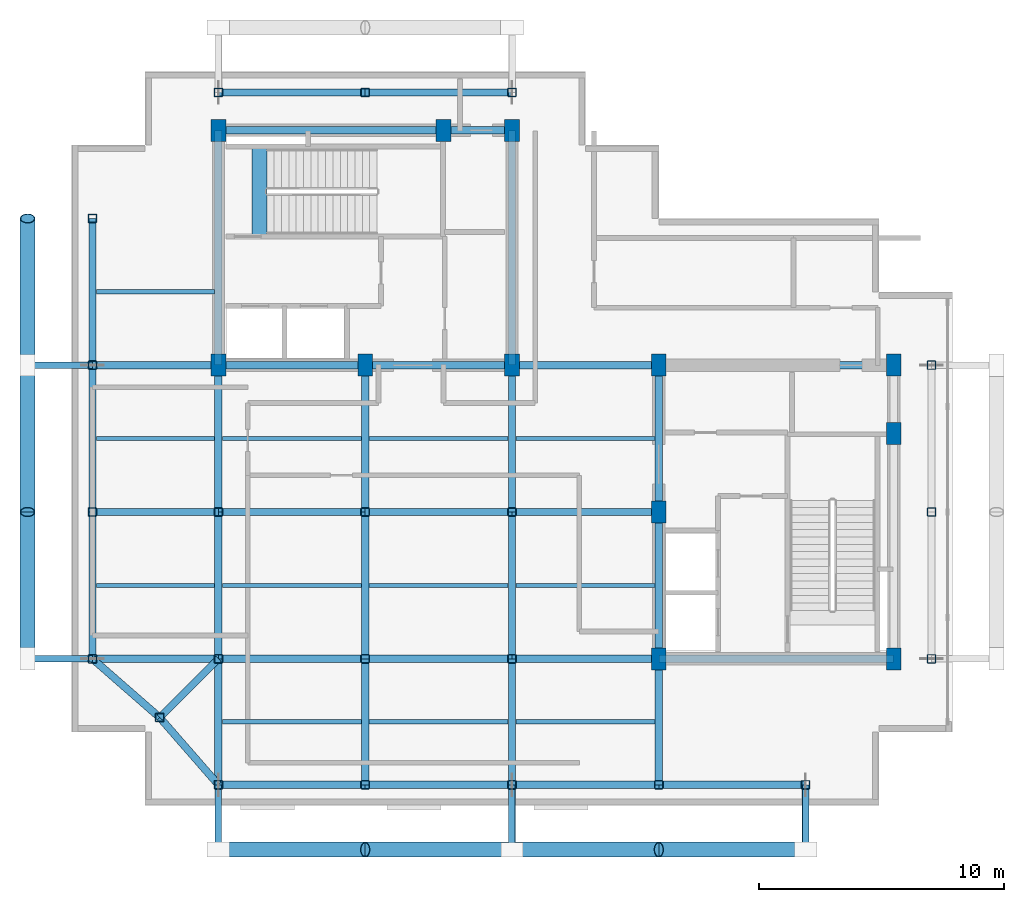
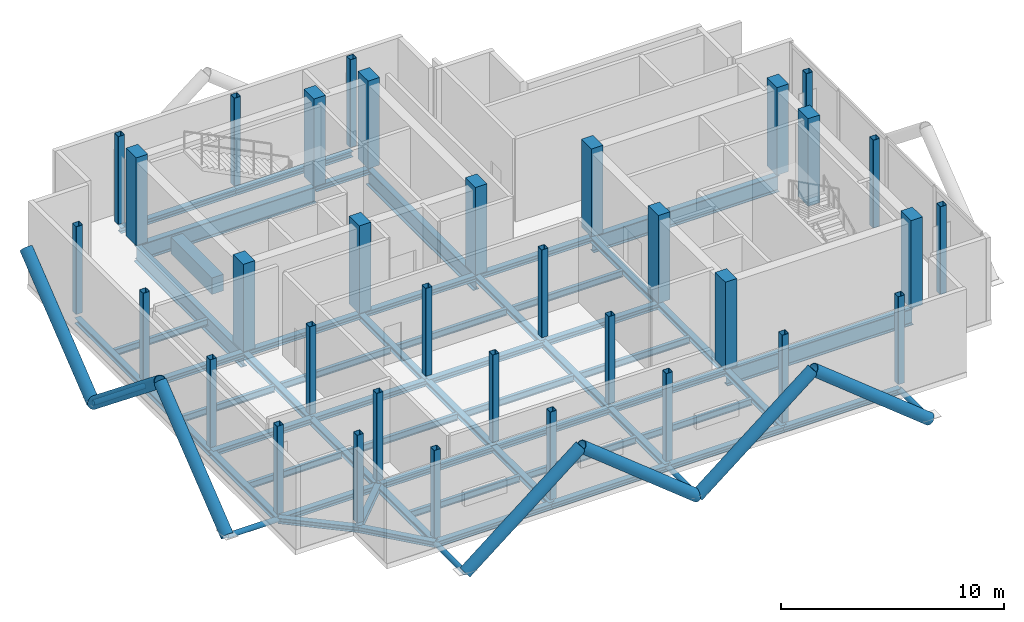
# One storey, part 1 of 6: 55 beams, 34 columns, 12 members.
"""IFC4 building model written with IfcOpenShell, lengths in metres."""

from ifc_helpers import new_model, si_unit, direction, frame, origin, origin_2d, place, context, subcontext, project, spatial, rectangle, hollow_rectangle, hollow_circle, i_section, extrude, material, material_profile, profile_set, type_object, element, save


model = new_model("IFC4")

# Units and contexts
model_context = context("Model", 3, precision=1e-05, world=origin(), true_north=direction((0.0, 1.0)))
body_context = subcontext(model_context, "Body", "Model", "MODEL_VIEW")
ifc_project = project(units=[si_unit("LENGTHUNIT", "METRE"), si_unit("AREAUNIT", "SQUARE_METRE"), si_unit("VOLUMEUNIT", "CUBIC_METRE"), si_unit("PLANEANGLEUNIT", "RADIAN"), si_unit("MASSUNIT", "GRAM", prefix="KILO"), si_unit("THERMODYNAMICTEMPERATUREUNIT", "KELVIN"), si_unit("POWERUNIT", "WATT")], contexts=[model_context])

# Site, building, storey
site_placement = place(None, origin())
site = spatial("IfcSite", under=ifc_project, at=site_placement, CompositionType="ELEMENT")
building_placement = place(site_placement, origin())
building = spatial("IfcBuilding", under=site, at=building_placement, Name="Svarakhadi Broadcast Tower", CompositionType="ELEMENT")
storey_placement = place(building_placement, frame((0.0, 0.0, 300.89990234375)))
storey = spatial("IfcBuildingStorey", under=building, at=storey_placement, Name="L76", CompositionType="ELEMENT", Elevation=300.89990234375)

# Columns
ifc_material_1 = material(Name="Concrete C50/60 (IS 456 M60)", Category="concrete")
ifc_material_profile_1 = material_profile(ifc_material_1, rectangle(XDim=0.60009765625, YDim=0.89990234375, at=origin_2d()), Name="RC 600x900")
ifc_profile_set_1 = profile_set([ifc_material_profile_1], Name="Concrete C50/60 (IS 456 M60)")
column_type_1 = type_object("IfcColumnType", Name="Col_RC600", PredefinedType="COLUMN", material=ifc_profile_set_1)
for number, where, z_axis, x_axis, name in (
    (1, (6.0, 18.0, 0.0), (0.0, 0.0, 1.0), (1.0, 0.0, 0.0), "L76 Column CW1"),
    (2, (12.0, 18.0, 0.0), (0.0, 0.0, 1.0), (1.0, 0.0, 0.0), "L76 Column CW2"),
    (3, (18.0, 18.0, 0.0), (0.0, 0.0, 1.0), (1.0, 0.0, 0.0), "L76 Column CW3"),
    (4, (6.0, 27.60009765625, 0.0), (0.0, 0.0, 1.0), (1.0, 0.0, 0.0), "L76 Column CW4"),
    (5, (15.199951171875, 27.60009765625, 0.0), (0.0, 0.0, 1.0), (1.0, 0.0, 0.0), "L76 Column CW5"),
    (6, (18.0, 27.60009765625, 0.0), (0.0, 0.0, 1.0), (1.0, 0.0, 0.0), "L76 Column CW6"),
    (7, (24.0, 6.0, 0.0), (0.0, 0.0, 1.0), (1.0, 0.0, 0.0), "L76 Column CE1"),
    (8, (24.0, 12.0, 0.0), (0.0, 0.0, 1.0), (1.0, 0.0, 0.0), "L76 Column CE2"),
    (9, (24.0, 18.0, 0.0), (0.0, 0.0, 1.0), (1.0, 0.0, 0.0), "L76 Column CE3"),
    (10, (33.60009765625, 6.0, 0.0), (0.0, 0.0, 1.0), (1.0, 0.0, 0.0), "L76 Column CE4"),
    (11, (33.60009765625, 15.199951171875, 0.0), (0.0, 0.0, 1.0), (1.0, 0.0, 0.0), "L76 Column CE5"),
    (12, (33.60009765625, 18.0, 0.0), (0.0, 0.0, 1.0), (1.0, 0.0, 0.0), "L76 Column CE6"),
):
    element("IfcColumn", number, at=place(storey_placement, frame(where, z_axis=z_axis, x_axis=x_axis)), inside=storey, type_object=column_type_1, Name=name, PredefinedType="COLUMN", context=body_context, shape_type="SweptSolid", body=[
        extrude(rectangle(XDim=0.60009765625, YDim=0.89990234375, at=origin_2d()), origin(), (0.0, 0.0, 1.0), 4.800048828125),
    ])
ifc_material_2 = material(Name="Steel S460ML (IS 2062 E450BR)", Category="steel")
ifc_material_profile_2 = material_profile(ifc_material_2, hollow_rectangle(XDim=0.35009765625, YDim=0.35009765625, WallThickness=0.01611328125, InnerFilletRadius=0.01611328125, OuterFilletRadius=0.031982421875, at=origin_2d()), Name="SHS 350x350x16")
ifc_profile_set_2 = profile_set([ifc_material_profile_2], Name="Steel S460ML (IS 2062 E450BR)")
column_type_2 = type_object("IfcColumnType", Name="Col_SHS350", PredefinedType="COLUMN", material=ifc_profile_set_2)
for number, where, z_axis, x_axis, name in (
    (13, (3.60009765625, 3.60009765625, 0.0), (0.0, 0.0, 1.0), (1.0, 0.0, 0.0), "L76 Column G01"),
    (14, (0.85009765625, 6.0, 0.0), (0.0, 0.0, 1.0), (1.0, 0.0, 0.0), "L76 Column G03"),
    (15, (0.85009765625, 12.0, 0.0), (0.0, 0.0, 1.0), (1.0, 0.0, 0.0), "L76 Column G04"),
    (16, (0.85009765625, 18.0, 0.0), (0.0, 0.0, 1.0), (1.0, 0.0, 0.0), "L76 Column G05"),
    (17, (0.85009765625, 24.0, 0.0), (0.0, 0.0, 1.0), (1.0, 0.0, 0.0), "L76 Column G06"),
    (18, (6.0, 0.85009765625, 0.0), (0.0, 0.0, 1.0), (1.0, 0.0, 0.0), "L76 Column G11"),
    (19, (6.0, 6.0, 0.0), (0.0, 0.0, 1.0), (1.0, 0.0, 0.0), "L76 Column G12"),
    (20, (6.0, 12.0, 0.0), (0.0, 0.0, 1.0), (1.0, 0.0, 0.0), "L76 Column G13"),
    (21, (6.0, 29.14990234375, 0.0), (0.0, 0.0, 1.0), (1.0, 0.0, 0.0), "L76 Column G14"),
    (22, (12.0, 0.85009765625, 0.0), (0.0, 0.0, 1.0), (1.0, 0.0, 0.0), "L76 Column G18"),
    (23, (12.0, 6.0, 0.0), (0.0, 0.0, 1.0), (1.0, 0.0, 0.0), "L76 Column G19"),
    (24, (12.0, 12.0, 0.0), (0.0, 0.0, 1.0), (1.0, 0.0, 0.0), "L76 Column G20"),
    (25, (12.0, 29.14990234375, 0.0), (0.0, 0.0, 1.0), (1.0, 0.0, 0.0), "L76 Column G21"),
    (26, (18.0, 0.85009765625, 0.0), (0.0, 0.0, 1.0), (1.0, 0.0, 0.0), "L76 Column G25"),
    (27, (18.0, 6.0, 0.0), (0.0, 0.0, 1.0), (1.0, 0.0, 0.0), "L76 Column G26"),
    (28, (18.0, 12.0, 0.0), (0.0, 0.0, 1.0), (1.0, 0.0, 0.0), "L76 Column G27"),
    (29, (18.0, 29.14990234375, 0.0), (0.0, 0.0, 1.0), (1.0, 0.0, 0.0), "L76 Column G28"),
    (30, (24.0, 0.85009765625, 0.0), (0.0, 0.0, 1.0), (1.0, 0.0, 0.0), "L76 Column G32"),
    (31, (30.0, 0.85009765625, 0.0), (0.0, 0.0, 1.0), (1.0, 0.0, 0.0), "L76 Column G36"),
    (32, (35.14990234375, 6.0, 0.0), (0.0, 0.0, 1.0), (1.0, 0.0, 0.0), "L76 Column G39"),
    (33, (35.14990234375, 12.0, 0.0), (0.0, 0.0, 1.0), (1.0, 0.0, 0.0), "L76 Column G40"),
    (34, (35.14990234375, 18.0, 0.0), (0.0, 0.0, 1.0), (1.0, 0.0, 0.0), "L76 Column G41"),
):
    element("IfcColumn", number, at=place(storey_placement, frame(where, z_axis=z_axis, x_axis=x_axis)), inside=storey, type_object=column_type_2, Name=name, PredefinedType="COLUMN", context=body_context, shape_type="SweptSolid", body=[
        extrude(hollow_rectangle(XDim=0.35009765625, YDim=0.35009765625, WallThickness=0.01611328125, InnerFilletRadius=0.01611328125, OuterFilletRadius=0.031982421875, at=origin_2d()), origin(), (0.0, 0.0, 1.0), 4.800048828125),
    ])

# Beams
ifc_material_3 = material(Name="Steel S355J2 (IS 2062 E350C)", Category="steel")
ifc_material_profile_3 = material_profile(ifc_material_3, i_section(OverallWidth=0.169921875, OverallDepth=0.360107421875, WebThickness=0.008056640625, FlangeThickness=0.0126953125, FilletRadius=0.01806640625, at=origin_2d()), Name="NPB 360x170x57")
ifc_profile_set_3 = profile_set([ifc_material_profile_3], Name="Steel S355J2 (IS 2062 E350C)")
beam_type_1 = type_object("IfcBeamType", Name="Beam_NPB360", PredefinedType="BEAM", material=ifc_profile_set_3)
for number, where, z_axis, x_axis, name in (
    (35, (1.010009765625, 9.0, -0.454833984375), (1.0, 0.0, 0.0), (0.0, 1.0, 0.0), "L76 Secondary Composite Beam SB001"),
    (36, (1.010009765625, 15.0, -0.454833984375), (1.0, 0.0, 0.0), (0.0, 1.0, 0.0), "L76 Secondary Composite Beam SB002"),
    (37, (1.010009765625, 21.0, -0.454833984375), (1.0, 0.0, 0.0), (0.0, 1.0, 0.0), "L76 Secondary Composite Beam SB003"),
):
    element("IfcBeam", number, at=place(storey_placement, frame(where, z_axis=z_axis, x_axis=x_axis)), inside=storey, type_object=beam_type_1, Name=name, PredefinedType="BEAM", context=body_context, shape_type="SweptSolid", body=[
        extrude(i_section(OverallWidth=0.169921875, OverallDepth=0.360107421875, WebThickness=0.008056640625, FlangeThickness=0.0126953125, FilletRadius=0.01806640625, at=origin_2d()), origin(), (0.0, 0.0, 1.0), 4.830078125),
    ])
for number, where, z_axis, x_axis, name in (
    (38, (6.159912109375, 3.425048828125, -0.454833984375), (1.0, 0.0, 0.0), (0.0, 1.0, 0.0), "L76 Secondary Composite Beam SB004"),
    (39, (6.159912109375, 9.0, -0.454833984375), (1.0, 0.0, 0.0), (0.0, 1.0, 0.0), "L76 Secondary Composite Beam SB005"),
    (40, (6.159912109375, 15.0, -0.454833984375), (1.0, 0.0, 0.0), (0.0, 1.0, 0.0), "L76 Secondary Composite Beam SB006"),
    (41, (12.159912109375, 3.425048828125, -0.454833984375), (1.0, 0.0, 0.0), (0.0, 1.0, 0.0), "L76 Secondary Composite Beam SB007"),
    (42, (12.159912109375, 9.0, -0.454833984375), (1.0, 0.0, 0.0), (0.0, 1.0, 0.0), "L76 Secondary Composite Beam SB008"),
    (43, (12.159912109375, 15.0, -0.454833984375), (1.0, 0.0, 0.0), (0.0, 1.0, 0.0), "L76 Secondary Composite Beam SB009"),
    (44, (18.159912109375, 3.425048828125, -0.454833984375), (1.0, 0.0, 0.0), (0.0, 1.0, 0.0), "L76 Secondary Composite Beam SB010"),
    (45, (18.159912109375, 9.0, -0.454833984375), (1.0, 0.0, 0.0), (0.0, 1.0, 0.0), "L76 Secondary Composite Beam SB011"),
    (46, (18.159912109375, 15.0, -0.454833984375), (1.0, 0.0, 0.0), (0.0, 1.0, 0.0), "L76 Secondary Composite Beam SB012"),
):
    element("IfcBeam", number, at=place(storey_placement, frame(where, z_axis=z_axis, x_axis=x_axis)), inside=storey, type_object=beam_type_1, Name=name, PredefinedType="BEAM", context=body_context, shape_type="SweptSolid", body=[
        extrude(i_section(OverallWidth=0.169921875, OverallDepth=0.360107421875, WebThickness=0.008056640625, FlangeThickness=0.0126953125, FilletRadius=0.01806640625, at=origin_2d()), origin(), (0.0, 0.0, 1.0), 5.68017578125),
    ])
ifc_material_profile_4 = material_profile(ifc_material_1, rectangle(XDim=0.60009765625, YDim=0.89990234375, at=origin_2d()), Name="RC 600x900")
ifc_profile_set_4 = profile_set([ifc_material_profile_4], Name="Concrete C50/60 (IS 456 M60)")
beam_type_2 = type_object("IfcBeamType", Name="Coupling_RC600", PredefinedType="USERDEFINED", material=ifc_profile_set_4)
beam_1_placement = place(storey_placement, frame((7.679931640625, 23.260009765625, -0.449951171875), z_axis=(0.0, 1.0, 0.0), x_axis=(-1.0, 0.0, 0.0)))
element("IfcBeam", 47, at=beam_1_placement, inside=storey, type_object=beam_type_2, Name="L76 Stair ST-01 Landing Throat Trimmer Beam CB-01", ObjectType="GIRDER", PredefinedType="USERDEFINED", context=body_context, shape_type="SweptSolid", body=[
    extrude(rectangle(XDim=0.60009765625, YDim=0.89990234375, at=origin_2d()), origin(), (0.0, 0.0, 1.0), 3.679931640625),
])

# Members
ifc_material_profile_5 = material_profile(ifc_material_2, hollow_circle(Radius=0.304931640625, WallThickness=0.030029296875, at=origin_2d()), Name="CHS 610x30")
ifc_profile_set_5 = profile_set([ifc_material_profile_5], Name="Steel S460ML (IS 2062 E450BR)")
member_type_1 = type_object("IfcMemberType", Name="Exo_Brace_CHS610", PredefinedType="BRACE", material=ifc_profile_set_5)
for number, where, z_axis, x_axis, name in (
    (48, (6.0, -1.800048828125, -0.411376953125), (0.780865709579, 0.0, 0.624698922365), (0.0, 1.0, 0.0), "L76 Exposed Bronze Exoskeleton Diagonal S01"),
    (49, (18.0, -1.800048828125, -0.411376953125), (-0.780865709579, 0.0, 0.624698922365), (0.0, -1.0, 0.0), "L76 Exposed Bronze Exoskeleton Diagonal S02"),
    (50, (18.0, -1.800048828125, -0.411376953125), (0.780865709579, 0.0, 0.624698922365), (0.0, 1.0, 0.0), "L76 Exposed Bronze Exoskeleton Diagonal S03"),
    (51, (30.0, -1.800048828125, -0.411376953125), (-0.780865709579, 0.0, 0.624698922365), (0.0, -1.0, 0.0), "L76 Exposed Bronze Exoskeleton Diagonal S04"),
    (52, (-1.800048828125, 6.0, -0.411376953125), (0.0, 0.780865709579, 0.624698922365), (-1.0, 0.0, 0.0), "L76 Exposed Bronze Exoskeleton Diagonal W05"),
    (53, (-1.800048828125, 18.0, -0.411376953125), (0.0, -0.780865709579, 0.624698922365), (1.0, 0.0, 0.0), "L76 Exposed Bronze Exoskeleton Diagonal W06"),
    (54, (-1.800048828125, 18.0, -0.411376953125), (0.0, 0.780865709579, 0.624698922365), (-1.0, 0.0, 0.0), "L76 Exposed Bronze Exoskeleton Diagonal W07"),
):
    element("IfcMember", number, at=place(storey_placement, frame(where, z_axis=z_axis, x_axis=x_axis)), inside=storey, type_object=member_type_1, Name=name, PredefinedType="BRACE", context=body_context, shape_type="SweptSolid", body=[
        extrude(hollow_circle(Radius=0.304931640625, WallThickness=0.030029296875, at=origin_2d()), origin(), (0.0, 0.0, 1.0), 7.683837890625),
    ])
ifc_material_profile_6 = material_profile(ifc_material_2, hollow_circle(Radius=0.136474609375, WallThickness=0.012451171875, at=origin_2d()), Name="CHS 273x12.5")
ifc_profile_set_6 = profile_set([ifc_material_profile_6], Name="Steel S460ML (IS 2062 E450BR)")
member_type_2 = type_object("IfcMemberType", Name="Exo_Radial_Strut_Z3", PredefinedType="STRUT", material=ifc_profile_set_6)
for number, where, z_axis, x_axis, name in (
    (55, (6.0, -1.800048828125, -0.411376953125), (0.0, 1.0, 0.0), (-1.0, 0.0, 0.0), "L76 Exoskeleton Radial Tie Strut S01"),
    (56, (18.0, -1.800048828125, -0.411376953125), (0.0, 1.0, 0.0), (-1.0, 0.0, 0.0), "L76 Exoskeleton Radial Tie Strut S02"),
    (57, (30.0, -1.800048828125, -0.411376953125), (0.0, 1.0, 0.0), (-1.0, 0.0, 0.0), "L76 Exoskeleton Radial Tie Strut S03"),
    (58, (-1.800048828125, 6.0, -0.411376953125), (1.0, 0.0, 0.0), (0.0, 1.0, 0.0), "L76 Exoskeleton Radial Tie Strut W04"),
    (59, (-1.800048828125, 18.0, -0.411376953125), (1.0, 0.0, 0.0), (0.0, 1.0, 0.0), "L76 Exoskeleton Radial Tie Strut W05"),
):
    element("IfcMember", number, at=place(storey_placement, frame(where, z_axis=z_axis, x_axis=x_axis)), inside=storey, type_object=member_type_2, Name=name, PredefinedType="STRUT", context=body_context, shape_type="SweptSolid", body=[
        extrude(hollow_circle(Radius=0.136474609375, WallThickness=0.012451171875, at=origin_2d()), origin(), (0.0, 0.0, 1.0), 2.650146484375),
    ])

# Beams
ifc_material_profile_7 = material_profile(ifc_material_3, i_section(OverallWidth=0.300048828125, OverallDepth=0.300048828125, WebThickness=0.010986328125, FlangeThickness=0.01904296875, FilletRadius=0.027099609375, at=origin_2d()), Name="WPB 300x300x117")
ifc_profile_set_7 = profile_set([ifc_material_profile_7], Name="Steel S355J2 (IS 2062 E350C)")
beam_type_3 = type_object("IfcBeamType", Name="Girder_WPB300", PredefinedType="USERDEFINED", material=ifc_profile_set_7)
beam_2_placement = place(storey_placement, frame((3.60009765625, 3.60009765625, -0.4248046875), z_axis=(0.707106781187, 0.707106781187, 0.0), x_axis=(-0.707106781187, 0.707106781187, 0.0)))
element("IfcBeam", 60, at=beam_2_placement, inside=storey, type_object=beam_type_3, Name="L76 Corner Tie Girder G001", ObjectType="GIRDER", PredefinedType="USERDEFINED", context=body_context, shape_type="SweptSolid", body=[
    extrude(i_section(OverallWidth=0.300048828125, OverallDepth=0.300048828125, WebThickness=0.010986328125, FlangeThickness=0.01904296875, FilletRadius=0.027099609375, at=origin_2d()), origin(), (0.0, 0.0, 1.0), 3.39404296875),
])
for number, where, z_axis, x_axis, name in (
    (61, (3.60009765625, 3.60009765625, -0.4248046875), (-0.753437912176, 0.657519058655, 0.0), (-0.657519058655, -0.753437912176, 0.0), "L76 Corner Tie Girder G002"),
    (62, (3.60009765625, 3.60009765625, -0.4248046875), (0.657519058655, -0.753437912176, 0.0), (0.753437912176, 0.657519058655, 0.0), "L76 Corner Tie Girder G003"),
):
    element("IfcBeam", number, at=place(storey_placement, frame(where, z_axis=z_axis, x_axis=x_axis)), inside=storey, type_object=beam_type_3, Name=name, ObjectType="GIRDER", PredefinedType="USERDEFINED", context=body_context, shape_type="SweptSolid", body=[
        extrude(i_section(OverallWidth=0.300048828125, OverallDepth=0.300048828125, WebThickness=0.010986328125, FlangeThickness=0.01904296875, FilletRadius=0.027099609375, at=origin_2d()), origin(), (0.0, 0.0, 1.0), 3.64990234375),
    ])
for number, where, z_axis, x_axis, name in (
    (63, (6.0, 0.85009765625, -0.4248046875), (1.0, 0.0, 0.0), (0.0, 1.0, 0.0), "L76 Primary E-W Girder G004"),
    (64, (12.0, 0.85009765625, -0.4248046875), (1.0, 0.0, 0.0), (0.0, 1.0, 0.0), "L76 Primary E-W Girder G005"),
    (65, (18.0, 0.85009765625, -0.4248046875), (1.0, 0.0, 0.0), (0.0, 1.0, 0.0), "L76 Primary E-W Girder G006"),
    (66, (24.0, 0.85009765625, -0.4248046875), (1.0, 0.0, 0.0), (0.0, 1.0, 0.0), "L76 Primary E-W Girder G007"),
):
    element("IfcBeam", number, at=place(storey_placement, frame(where, z_axis=z_axis, x_axis=x_axis)), inside=storey, type_object=beam_type_3, Name=name, ObjectType="GIRDER", PredefinedType="USERDEFINED", context=body_context, shape_type="SweptSolid", body=[
        extrude(i_section(OverallWidth=0.300048828125, OverallDepth=0.300048828125, WebThickness=0.010986328125, FlangeThickness=0.01904296875, FilletRadius=0.027099609375, at=origin_2d()), origin(), (0.0, 0.0, 1.0), 6.0),
    ])
beam_3_placement = place(storey_placement, frame((0.85009765625, 6.0, -0.4248046875), z_axis=(1.0, 0.0, 0.0), x_axis=(0.0, 1.0, 0.0)))
element("IfcBeam", 67, at=beam_3_placement, inside=storey, type_object=beam_type_3, Name="L76 Primary E-W Girder G008", ObjectType="GIRDER", PredefinedType="USERDEFINED", context=body_context, shape_type="SweptSolid", body=[
    extrude(i_section(OverallWidth=0.300048828125, OverallDepth=0.300048828125, WebThickness=0.010986328125, FlangeThickness=0.01904296875, FilletRadius=0.027099609375, at=origin_2d()), origin(), (0.0, 0.0, 1.0), 5.14990234375),
])
for number, where, z_axis, x_axis, name in (
    (68, (6.0, 6.0, -0.4248046875), (1.0, 0.0, 0.0), (0.0, 1.0, 0.0), "L76 Primary E-W Girder G009"),
    (69, (12.0, 6.0, -0.4248046875), (1.0, 0.0, 0.0), (0.0, 1.0, 0.0), "L76 Primary E-W Girder G010"),
    (70, (18.0, 6.0, -0.4248046875), (1.0, 0.0, 0.0), (0.0, 1.0, 0.0), "L76 Primary E-W Girder G011"),
):
    element("IfcBeam", number, at=place(storey_placement, frame(where, z_axis=z_axis, x_axis=x_axis)), inside=storey, type_object=beam_type_3, Name=name, ObjectType="GIRDER", PredefinedType="USERDEFINED", context=body_context, shape_type="SweptSolid", body=[
        extrude(i_section(OverallWidth=0.300048828125, OverallDepth=0.300048828125, WebThickness=0.010986328125, FlangeThickness=0.01904296875, FilletRadius=0.027099609375, at=origin_2d()), origin(), (0.0, 0.0, 1.0), 6.0),
    ])
beam_4_placement = place(storey_placement, frame((0.85009765625, 12.0, -0.4248046875), z_axis=(1.0, 0.0, 0.0), x_axis=(0.0, 1.0, 0.0)))
element("IfcBeam", 71, at=beam_4_placement, inside=storey, type_object=beam_type_3, Name="L76 Primary E-W Girder G013", ObjectType="GIRDER", PredefinedType="USERDEFINED", context=body_context, shape_type="SweptSolid", body=[
    extrude(i_section(OverallWidth=0.300048828125, OverallDepth=0.300048828125, WebThickness=0.010986328125, FlangeThickness=0.01904296875, FilletRadius=0.027099609375, at=origin_2d()), origin(), (0.0, 0.0, 1.0), 5.14990234375),
])
for number, where, z_axis, x_axis, name in (
    (72, (6.0, 12.0, -0.4248046875), (1.0, 0.0, 0.0), (0.0, 1.0, 0.0), "L76 Primary E-W Girder G014"),
    (73, (12.0, 12.0, -0.4248046875), (1.0, 0.0, 0.0), (0.0, 1.0, 0.0), "L76 Primary E-W Girder G015"),
    (74, (18.0, 12.0, -0.4248046875), (1.0, 0.0, 0.0), (0.0, 1.0, 0.0), "L76 Primary E-W Girder G016"),
):
    element("IfcBeam", number, at=place(storey_placement, frame(where, z_axis=z_axis, x_axis=x_axis)), inside=storey, type_object=beam_type_3, Name=name, ObjectType="GIRDER", PredefinedType="USERDEFINED", context=body_context, shape_type="SweptSolid", body=[
        extrude(i_section(OverallWidth=0.300048828125, OverallDepth=0.300048828125, WebThickness=0.010986328125, FlangeThickness=0.01904296875, FilletRadius=0.027099609375, at=origin_2d()), origin(), (0.0, 0.0, 1.0), 6.0),
    ])
beam_5_placement = place(storey_placement, frame((0.85009765625, 18.0, -0.4248046875), z_axis=(1.0, 0.0, 0.0), x_axis=(0.0, 1.0, 0.0)))
element("IfcBeam", 75, at=beam_5_placement, inside=storey, type_object=beam_type_3, Name="L76 Primary E-W Girder G017", ObjectType="GIRDER", PredefinedType="USERDEFINED", context=body_context, shape_type="SweptSolid", body=[
    extrude(i_section(OverallWidth=0.300048828125, OverallDepth=0.300048828125, WebThickness=0.010986328125, FlangeThickness=0.01904296875, FilletRadius=0.027099609375, at=origin_2d()), origin(), (0.0, 0.0, 1.0), 5.14990234375),
])
for number, where, z_axis, x_axis, name in (
    (76, (6.0, 18.0, -0.4248046875), (1.0, 0.0, 0.0), (0.0, 1.0, 0.0), "L76 Primary E-W Girder G018"),
    (77, (12.0, 18.0, -0.4248046875), (1.0, 0.0, 0.0), (0.0, 1.0, 0.0), "L76 Primary E-W Girder G019"),
    (78, (18.0, 18.0, -0.4248046875), (1.0, 0.0, 0.0), (0.0, 1.0, 0.0), "L76 Primary E-W Girder G020"),
):
    element("IfcBeam", number, at=place(storey_placement, frame(where, z_axis=z_axis, x_axis=x_axis)), inside=storey, type_object=beam_type_3, Name=name, ObjectType="GIRDER", PredefinedType="USERDEFINED", context=body_context, shape_type="SweptSolid", body=[
        extrude(i_section(OverallWidth=0.300048828125, OverallDepth=0.300048828125, WebThickness=0.010986328125, FlangeThickness=0.01904296875, FilletRadius=0.027099609375, at=origin_2d()), origin(), (0.0, 0.0, 1.0), 6.0),
    ])
beam_6_placement = place(storey_placement, frame((15.199951171875, 27.60009765625, -0.4248046875), z_axis=(1.0, 0.0, 0.0), x_axis=(0.0, 1.0, 0.0)))
element("IfcBeam", 79, at=beam_6_placement, inside=storey, type_object=beam_type_3, Name="L76 Primary E-W Girder G023", ObjectType="GIRDER", PredefinedType="USERDEFINED", context=body_context, shape_type="SweptSolid", body=[
    extrude(i_section(OverallWidth=0.300048828125, OverallDepth=0.300048828125, WebThickness=0.010986328125, FlangeThickness=0.01904296875, FilletRadius=0.027099609375, at=origin_2d()), origin(), (0.0, 0.0, 1.0), 2.800048828125),
])
for number, where, z_axis, x_axis, name in (
    (80, (6.0, 29.14990234375, -0.4248046875), (1.0, 0.0, 0.0), (0.0, 1.0, 0.0), "L76 Primary E-W Girder G024"),
    (81, (12.0, 29.14990234375, -0.4248046875), (1.0, 0.0, 0.0), (0.0, 1.0, 0.0), "L76 Primary E-W Girder G025"),
    (82, (0.85009765625, 6.0, -0.4248046875), (0.0, 1.0, 0.0), (-1.0, 0.0, 0.0), "L76 Primary N-S Girder G026"),
    (83, (0.85009765625, 12.0, -0.4248046875), (0.0, 1.0, 0.0), (-1.0, 0.0, 0.0), "L76 Primary N-S Girder G027"),
    (84, (0.85009765625, 18.0, -0.4248046875), (0.0, 1.0, 0.0), (-1.0, 0.0, 0.0), "L76 Primary N-S Girder G028"),
):
    element("IfcBeam", number, at=place(storey_placement, frame(where, z_axis=z_axis, x_axis=x_axis)), inside=storey, type_object=beam_type_3, Name=name, ObjectType="GIRDER", PredefinedType="USERDEFINED", context=body_context, shape_type="SweptSolid", body=[
        extrude(i_section(OverallWidth=0.300048828125, OverallDepth=0.300048828125, WebThickness=0.010986328125, FlangeThickness=0.01904296875, FilletRadius=0.027099609375, at=origin_2d()), origin(), (0.0, 0.0, 1.0), 6.0),
    ])
beam_7_placement = place(storey_placement, frame((6.0, 0.85009765625, -0.4248046875), z_axis=(0.0, 1.0, 0.0), x_axis=(-1.0, 0.0, 0.0)))
element("IfcBeam", 85, at=beam_7_placement, inside=storey, type_object=beam_type_3, Name="L76 Primary N-S Girder G029", ObjectType="GIRDER", PredefinedType="USERDEFINED", context=body_context, shape_type="SweptSolid", body=[
    extrude(i_section(OverallWidth=0.300048828125, OverallDepth=0.300048828125, WebThickness=0.010986328125, FlangeThickness=0.01904296875, FilletRadius=0.027099609375, at=origin_2d()), origin(), (0.0, 0.0, 1.0), 5.14990234375),
])
for number, where, z_axis, x_axis, name in (
    (86, (6.0, 6.0, -0.4248046875), (0.0, 1.0, 0.0), (-1.0, 0.0, 0.0), "L76 Primary N-S Girder G030"),
    (87, (6.0, 12.0, -0.4248046875), (0.0, 1.0, 0.0), (-1.0, 0.0, 0.0), "L76 Primary N-S Girder G031"),
):
    element("IfcBeam", number, at=place(storey_placement, frame(where, z_axis=z_axis, x_axis=x_axis)), inside=storey, type_object=beam_type_3, Name=name, ObjectType="GIRDER", PredefinedType="USERDEFINED", context=body_context, shape_type="SweptSolid", body=[
        extrude(i_section(OverallWidth=0.300048828125, OverallDepth=0.300048828125, WebThickness=0.010986328125, FlangeThickness=0.01904296875, FilletRadius=0.027099609375, at=origin_2d()), origin(), (0.0, 0.0, 1.0), 6.0),
    ])
beam_8_placement = place(storey_placement, frame((12.0, 0.85009765625, -0.4248046875), z_axis=(0.0, 1.0, 0.0), x_axis=(-1.0, 0.0, 0.0)))
element("IfcBeam", 88, at=beam_8_placement, inside=storey, type_object=beam_type_3, Name="L76 Primary N-S Girder G033", ObjectType="GIRDER", PredefinedType="USERDEFINED", context=body_context, shape_type="SweptSolid", body=[
    extrude(i_section(OverallWidth=0.300048828125, OverallDepth=0.300048828125, WebThickness=0.010986328125, FlangeThickness=0.01904296875, FilletRadius=0.027099609375, at=origin_2d()), origin(), (0.0, 0.0, 1.0), 5.14990234375),
])
for number, where, z_axis, x_axis, name in (
    (89, (12.0, 6.0, -0.4248046875), (0.0, 1.0, 0.0), (-1.0, 0.0, 0.0), "L76 Primary N-S Girder G034"),
    (90, (12.0, 12.0, -0.4248046875), (0.0, 1.0, 0.0), (-1.0, 0.0, 0.0), "L76 Primary N-S Girder G035"),
):
    element("IfcBeam", number, at=place(storey_placement, frame(where, z_axis=z_axis, x_axis=x_axis)), inside=storey, type_object=beam_type_3, Name=name, ObjectType="GIRDER", PredefinedType="USERDEFINED", context=body_context, shape_type="SweptSolid", body=[
        extrude(i_section(OverallWidth=0.300048828125, OverallDepth=0.300048828125, WebThickness=0.010986328125, FlangeThickness=0.01904296875, FilletRadius=0.027099609375, at=origin_2d()), origin(), (0.0, 0.0, 1.0), 6.0),
    ])
beam_9_placement = place(storey_placement, frame((18.0, 0.85009765625, -0.4248046875), z_axis=(0.0, 1.0, 0.0), x_axis=(-1.0, 0.0, 0.0)))
element("IfcBeam", 91, at=beam_9_placement, inside=storey, type_object=beam_type_3, Name="L76 Primary N-S Girder G036", ObjectType="GIRDER", PredefinedType="USERDEFINED", context=body_context, shape_type="SweptSolid", body=[
    extrude(i_section(OverallWidth=0.300048828125, OverallDepth=0.300048828125, WebThickness=0.010986328125, FlangeThickness=0.01904296875, FilletRadius=0.027099609375, at=origin_2d()), origin(), (0.0, 0.0, 1.0), 5.14990234375),
])
for number, where, z_axis, x_axis, name in (
    (92, (18.0, 6.0, -0.4248046875), (0.0, 1.0, 0.0), (-1.0, 0.0, 0.0), "L76 Primary N-S Girder G037"),
    (93, (18.0, 12.0, -0.4248046875), (0.0, 1.0, 0.0), (-1.0, 0.0, 0.0), "L76 Primary N-S Girder G038"),
):
    element("IfcBeam", number, at=place(storey_placement, frame(where, z_axis=z_axis, x_axis=x_axis)), inside=storey, type_object=beam_type_3, Name=name, ObjectType="GIRDER", PredefinedType="USERDEFINED", context=body_context, shape_type="SweptSolid", body=[
        extrude(i_section(OverallWidth=0.300048828125, OverallDepth=0.300048828125, WebThickness=0.010986328125, FlangeThickness=0.01904296875, FilletRadius=0.027099609375, at=origin_2d()), origin(), (0.0, 0.0, 1.0), 6.0),
    ])
beam_10_placement = place(storey_placement, frame((24.0, 0.85009765625, -0.4248046875), z_axis=(0.0, 1.0, 0.0), x_axis=(-1.0, 0.0, 0.0)))
element("IfcBeam", 94, at=beam_10_placement, inside=storey, type_object=beam_type_3, Name="L76 Primary N-S Girder G040", ObjectType="GIRDER", PredefinedType="USERDEFINED", context=body_context, shape_type="SweptSolid", body=[
    extrude(i_section(OverallWidth=0.300048828125, OverallDepth=0.300048828125, WebThickness=0.010986328125, FlangeThickness=0.01904296875, FilletRadius=0.027099609375, at=origin_2d()), origin(), (0.0, 0.0, 1.0), 5.14990234375),
])
for number, where, z_axis, x_axis, name in (
    (95, (24.0, 6.0, -0.4248046875), (0.0, 1.0, 0.0), (-1.0, 0.0, 0.0), "L76 Primary N-S Girder G041"),
    (96, (24.0, 12.0, -0.4248046875), (0.0, 1.0, 0.0), (-1.0, 0.0, 0.0), "L76 Primary N-S Girder G042"),
):
    element("IfcBeam", number, at=place(storey_placement, frame(where, z_axis=z_axis, x_axis=x_axis)), inside=storey, type_object=beam_type_3, Name=name, ObjectType="GIRDER", PredefinedType="USERDEFINED", context=body_context, shape_type="SweptSolid", body=[
        extrude(i_section(OverallWidth=0.300048828125, OverallDepth=0.300048828125, WebThickness=0.010986328125, FlangeThickness=0.01904296875, FilletRadius=0.027099609375, at=origin_2d()), origin(), (0.0, 0.0, 1.0), 6.0),
    ])
ifc_material_profile_8 = material_profile(ifc_material_2, i_section(OverallWidth=0.300048828125, OverallDepth=0.89990234375, WebThickness=0.0185546875, FlangeThickness=0.034912109375, FilletRadius=0.030029296875, at=origin_2d()), Name="WPB 900x300x291")
ifc_profile_set_8 = profile_set([ifc_material_profile_8], Name="Steel S460ML (IS 2062 E450BR)")
beam_type_4 = type_object("IfcBeamType", Name="Girder_WPB900", PredefinedType="USERDEFINED", material=ifc_profile_set_8)
for number, where, z_axis, x_axis, name in (
    (97, (24.0, 6.0, -0.724853515625), (1.0, 0.0, 0.0), (0.0, 1.0, 0.0), "L76 Primary E-W Girder G012"),
    (98, (24.0, 18.0, -0.724853515625), (1.0, 0.0, 0.0), (0.0, 1.0, 0.0), "L76 Primary E-W Girder G021"),
):
    element("IfcBeam", number, at=place(storey_placement, frame(where, z_axis=z_axis, x_axis=x_axis)), inside=storey, type_object=beam_type_4, Name=name, ObjectType="GIRDER", PredefinedType="USERDEFINED", context=body_context, shape_type="SweptSolid", body=[
        extrude(i_section(OverallWidth=0.300048828125, OverallDepth=0.89990234375, WebThickness=0.0185546875, FlangeThickness=0.034912109375, FilletRadius=0.030029296875, at=origin_2d()), origin(), (0.0, 0.0, 1.0), 9.60009765625),
    ])
beam_11_placement = place(storey_placement, frame((6.0, 27.60009765625, -0.724853515625), z_axis=(1.0, 0.0, 0.0), x_axis=(0.0, 1.0, 0.0)))
element("IfcBeam", 99, at=beam_11_placement, inside=storey, type_object=beam_type_4, Name="L76 Primary E-W Girder G022", ObjectType="GIRDER", PredefinedType="USERDEFINED", context=body_context, shape_type="SweptSolid", body=[
    extrude(i_section(OverallWidth=0.300048828125, OverallDepth=0.89990234375, WebThickness=0.0185546875, FlangeThickness=0.034912109375, FilletRadius=0.030029296875, at=origin_2d()), origin(), (0.0, 0.0, 1.0), 9.199951171875),
])
for number, where, z_axis, x_axis, name in (
    (100, (6.0, 18.0, -0.724853515625), (0.0, 1.0, 0.0), (-1.0, 0.0, 0.0), "L76 Primary N-S Girder G032"),
    (101, (18.0, 18.0, -0.724853515625), (0.0, 1.0, 0.0), (-1.0, 0.0, 0.0), "L76 Primary N-S Girder G039"),
):
    element("IfcBeam", number, at=place(storey_placement, frame(where, z_axis=z_axis, x_axis=x_axis)), inside=storey, type_object=beam_type_4, Name=name, ObjectType="GIRDER", PredefinedType="USERDEFINED", context=body_context, shape_type="SweptSolid", body=[
        extrude(i_section(OverallWidth=0.300048828125, OverallDepth=0.89990234375, WebThickness=0.0185546875, FlangeThickness=0.034912109375, FilletRadius=0.030029296875, at=origin_2d()), origin(), (0.0, 0.0, 1.0), 9.60009765625),
    ])

save(model, "model.ifc")
